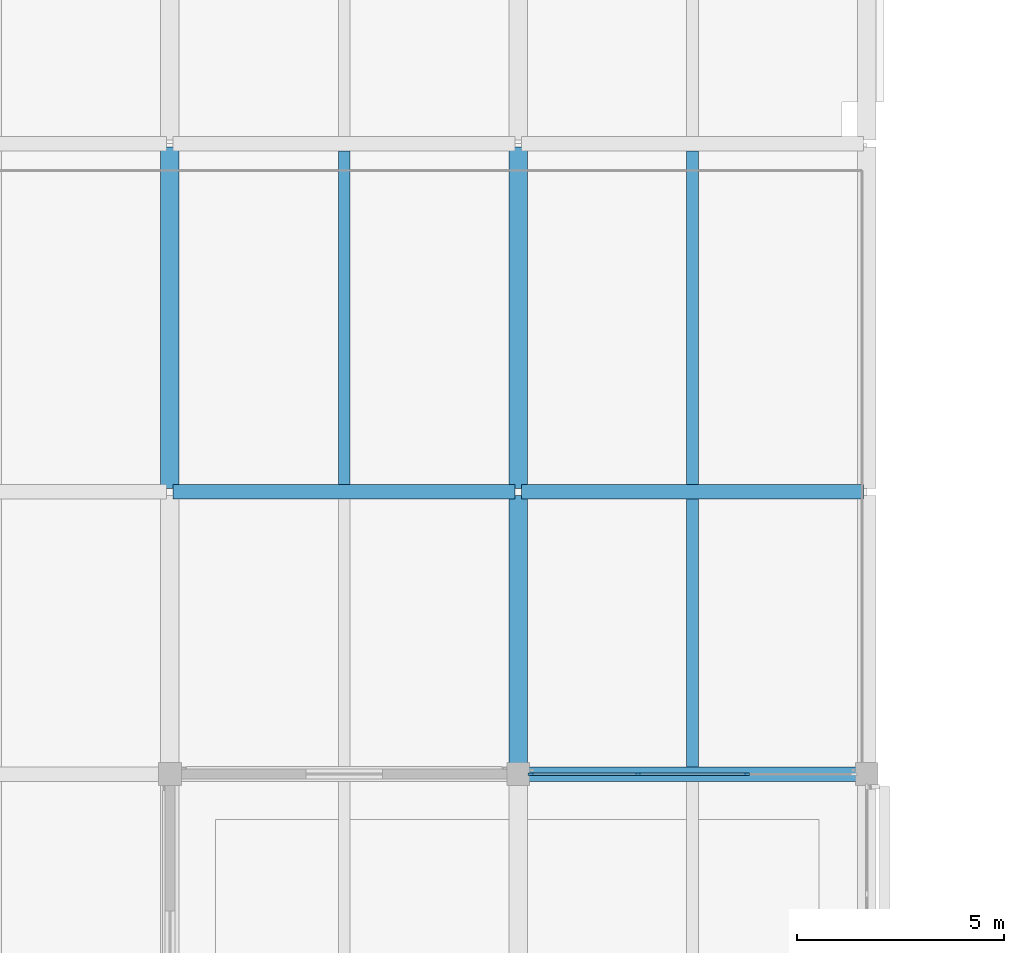
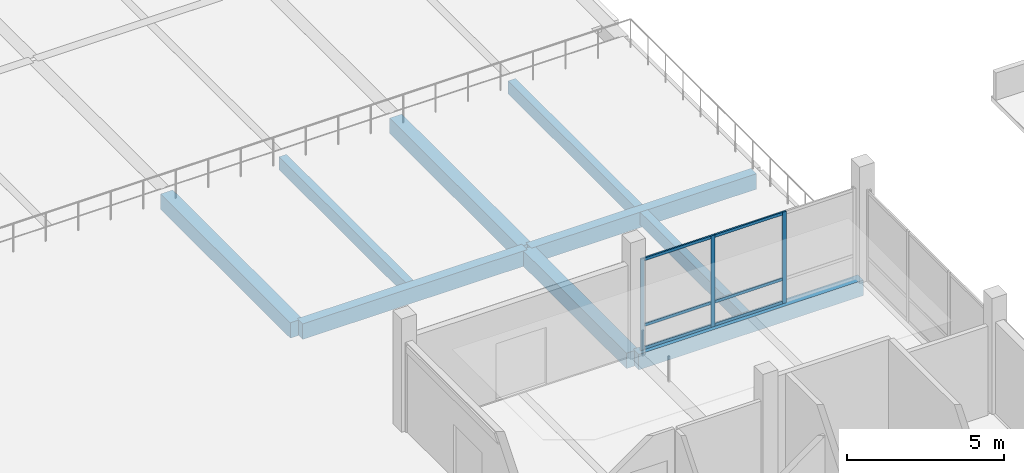
# One storey, part 9 of 59: 9 beams, 9 members, 1 element without a shape of its own.
"""IFC4 building model written with IfcOpenShell, lengths in metres."""

from ifc_helpers import new_model, si_unit, direction, frame, origin, origin_2d, place, context, subcontext, project, spatial, rectangle, extrude, material, layer, layer_set, material_profile, profile_set, type_object, element, aggregate, save


model = new_model("IFC4")

# Units and contexts
model_context = context("Model", 3, precision=1e-05, world=origin(), true_north=direction((0.0, 1.0)))
body_context = subcontext(model_context, "Body", "Model", "MODEL_VIEW")
ifc_project = project(units=[si_unit("LENGTHUNIT", "METRE"), si_unit("AREAUNIT", "SQUARE_METRE"), si_unit("VOLUMEUNIT", "CUBIC_METRE"), si_unit("PLANEANGLEUNIT", "RADIAN"), si_unit("MASSUNIT", "GRAM", prefix="KILO")], contexts=[model_context])

# Site, building, storey
site_placement = place(None, origin())
site = spatial("IfcSite", under=ifc_project, at=site_placement, CompositionType="ELEMENT")
building_placement = place(site_placement, origin())
building = spatial("IfcBuilding", under=site, at=building_placement, Name="Telukmera Botanical Conservatory", CompositionType="ELEMENT")
storey_placement = place(building_placement, frame((0.0, 0.0, 15.0)))
storey = spatial("IfcBuildingStorey", under=building, at=storey_placement, Name="L03", CompositionType="ELEMENT", Elevation=15.0)

# Beams
ifc_material_1 = material(Name="Concrete C40/50", Category="concrete")
ifc_material_profile_1 = material_profile(ifc_material_1, rectangle(XDim=0.449951171875, YDim=0.60009765625, at=origin_2d()), Name="RC 450x600")
ifc_profile_set_1 = profile_set([ifc_material_profile_1], Name="Concrete C40/50")
beam_type_1 = type_object("IfcBeamType", Name="Beam_B17", PredefinedType="BEAM", material=ifc_profile_set_1)
beam_1_placement = place(storey_placement, frame((25.199951171875, 49.679931640625, -0.300048828125), z_axis=(0.0, 1.0, 0.0), x_axis=(-1.0, 0.0, 0.0)))
element("IfcBeam", 1, at=beam_1_placement, inside=storey, type_object=beam_type_1, Name="Visitor Wing Transverse Beam L03", PredefinedType="BEAM", context=body_context, shape_type="SweptSolid", body=[
    extrude(rectangle(XDim=0.449951171875, YDim=0.60009765625, at=origin_2d()), origin(), (0.0, 0.0, 1.0), 8.239990234375),
])
beam_2_placement = place(storey_placement, frame((33.60009765625, 42.8798828125, -0.300048828125), z_axis=(0.0, 1.0, 0.0), x_axis=(-1.0, 0.0, 0.0)))
element("IfcBeam", 2, at=beam_2_placement, inside=storey, type_object=beam_type_1, Name="Visitor Wing Transverse Beam L03", PredefinedType="BEAM", context=body_context, shape_type="SweptSolid", body=[
    extrude(rectangle(XDim=0.449951171875, YDim=0.60009765625, at=origin_2d()), origin(), (0.0, 0.0, 1.0), 6.64013671875),
])
beam_3_placement = place(storey_placement, frame((33.60009765625, 49.679931640625, -0.300048828125), z_axis=(0.0, 1.0, 0.0), x_axis=(-1.0, 0.0, 0.0)))
element("IfcBeam", 3, at=beam_3_placement, inside=storey, type_object=beam_type_1, Name="Visitor Wing Transverse Beam L03", PredefinedType="BEAM", context=body_context, shape_type="SweptSolid", body=[
    extrude(rectangle(XDim=0.449951171875, YDim=0.60009765625, at=origin_2d()), origin(), (0.0, 0.0, 1.0), 8.239990234375),
])
ifc_material_profile_2 = material_profile(ifc_material_1, rectangle(XDim=0.280029296875, YDim=0.5, at=origin_2d()), Name="RC 280x500")
ifc_profile_set_2 = profile_set([ifc_material_profile_2], Name="Concrete C40/50")
beam_type_2 = type_object("IfcBeamType", Name="Beam_B26", PredefinedType="JOIST", material=ifc_profile_set_2)
beam_4_placement = place(storey_placement, frame((29.39990234375, 49.77490234375, -0.25), z_axis=(0.0, 1.0, 0.0), x_axis=(-1.0, 0.0, 0.0)))
element("IfcBeam", 4, at=beam_4_placement, inside=storey, type_object=beam_type_2, Name="Visitor Wing Floor Joist L03", PredefinedType="JOIST", context=body_context, shape_type="SweptSolid", body=[
    extrude(rectangle(XDim=0.280029296875, YDim=0.5, at=origin_2d()), origin(), (0.0, 0.0, 1.0), 8.050048828125),
])
beam_5_placement = place(storey_placement, frame((37.800048828125, 42.97509765625, -0.25), z_axis=(0.0, 1.0, 0.0), x_axis=(-1.0, 0.0, 0.0)))
element("IfcBeam", 5, at=beam_5_placement, inside=storey, type_object=beam_type_2, Name="Visitor Wing Floor Joist L03", PredefinedType="JOIST", context=body_context, shape_type="SweptSolid", body=[
    extrude(rectangle(XDim=0.280029296875, YDim=0.5, at=origin_2d()), origin(), (0.0, 0.0, 1.0), 6.449951171875),
])
beam_6_placement = place(storey_placement, frame((37.800048828125, 49.77490234375, -0.25), z_axis=(0.0, 1.0, 0.0), x_axis=(-1.0, 0.0, 0.0)))
element("IfcBeam", 6, at=beam_6_placement, inside=storey, type_object=beam_type_2, Name="Visitor Wing Floor Joist L03", PredefinedType="JOIST", context=body_context, shape_type="SweptSolid", body=[
    extrude(rectangle(XDim=0.280029296875, YDim=0.5, at=origin_2d()), origin(), (0.0, 0.0, 1.0), 8.050048828125),
])
ifc_material_profile_3 = material_profile(ifc_material_1, rectangle(XDim=0.35009765625, YDim=0.60009765625, at=origin_2d()), Name="RC 350x600")
ifc_profile_set_3 = profile_set([ifc_material_profile_3], Name="Concrete C40/50")
beam_type_3 = type_object("IfcBeamType", Name="Beam_B9", PredefinedType="BEAM", material=ifc_profile_set_3)
for number, where, z_axis, x_axis, name in (
    (7, (33.679931640625, 42.800048828125, -0.300048828125), (1.0, 0.0, 0.0), (0.0, 1.0, 0.0), "Visitor Wing Grid Beam L03"),
    (8, (25.280029296875, 49.60009765625, -0.300048828125), (1.0, 0.0, 0.0), (0.0, 1.0, 0.0), "Visitor Wing Grid Beam L03"),
    (9, (33.679931640625, 49.60009765625, -0.300048828125), (1.0, 0.0, 0.0), (0.0, 1.0, 0.0), "Visitor Wing Grid Beam L03"),
):
    element("IfcBeam", number, at=place(storey_placement, frame(where, z_axis=z_axis, x_axis=x_axis)), inside=storey, type_object=beam_type_3, Name=name, PredefinedType="BEAM", context=body_context, shape_type="SweptSolid", body=[
        extrude(rectangle(XDim=0.35009765625, YDim=0.60009765625, at=origin_2d()), origin(), (0.0, 0.0, 1.0), 8.239990234375),
    ])

# Curtain wall, members
ifc_material_2 = material(Name="Anodised aluminium 6063-T6", Category="aluminium")
ifc_layer = layer(ifc_material_2, 0.179931640625)
ifc_layer_set = layer_set([ifc_layer], Name="Anodised aluminium 6063-T6")
curtain_wall_type = type_object("IfcCurtainWallType", Name="Visitor Rooftop Lounge Terrace Curtain Wall", PredefinedType="USERDEFINED", material=ifc_layer_set)
curtain_wall_placement = place(storey_placement, origin())
curtain_wall = element("IfcCurtainWall", 10, at=curtain_wall_placement, inside=storey, type_object=curtain_wall_type, Name="Unitised Curtain Wall CW11 V3:L03:N2", ObjectType="UNITISED CURTAIN WALL", PredefinedType="USERDEFINED")
ifc_material_profile_4 = material_profile(ifc_material_2, rectangle(XDim=0.06005859375, YDim=0.139892578125, at=origin_2d()), Name="ALU MULL 60x140")
ifc_profile_set_4 = profile_set([ifc_material_profile_4], Name="Anodised aluminium 6063-T6")
member_type_1 = type_object("IfcMemberType", Name="Curtain Wall Extruded Mullion 60x140", PredefinedType="MULLION", material=ifc_profile_set_4)
member_1_placement = place(storey_placement, frame((33.906982421875, 42.800048828125, 0.0), z_axis=(0.0, 0.0, 1.0), x_axis=(0.0, 1.0, 0.0)))
member_1 = element("IfcMember", 11, at=member_1_placement, type_object=member_type_1, Name="CW11 mullion 1", PredefinedType="MULLION", context=body_context, shape_type="SweptSolid", body=[
    extrude(rectangle(XDim=0.06005859375, YDim=0.139892578125, at=origin_2d()), origin(), (0.0, 0.0, 1.0), 3.550048828125),
])
member_2_placement = place(storey_placement, frame((36.492431640625, 42.800048828125, 0.0), z_axis=(0.0, 0.0, 1.0), x_axis=(0.0, 1.0, 0.0)))
member_2 = element("IfcMember", 12, at=member_2_placement, type_object=member_type_1, Name="CW11 mullion 2", PredefinedType="MULLION", context=body_context, shape_type="SweptSolid", body=[
    extrude(rectangle(XDim=0.06005859375, YDim=0.139892578125, at=origin_2d()), origin(), (0.0, 0.0, 1.0), 3.550048828125),
])
member_3_placement = place(storey_placement, frame((39.107666015625, 42.800048828125, 0.0), z_axis=(0.0, 0.0, 1.0), x_axis=(0.0, 1.0, 0.0)))
member_3 = element("IfcMember", 13, at=member_3_placement, type_object=member_type_1, Name="CW11 mullion 3", PredefinedType="MULLION", context=body_context, shape_type="SweptSolid", body=[
    extrude(rectangle(XDim=0.06005859375, YDim=0.139892578125, at=origin_2d()), origin(), (0.0, 0.0, 1.0), 3.550048828125),
])
ifc_material_profile_5 = material_profile(ifc_material_2, rectangle(XDim=0.06005859375, YDim=0.110107421875, at=origin_2d()), Name="ALU TRAN 60x110")
ifc_profile_set_5 = profile_set([ifc_material_profile_5], Name="Anodised aluminium 6063-T6")
member_type_2 = type_object("IfcMemberType", Name="Curtain Wall Extruded Transom 60x110", PredefinedType="USERDEFINED", material=ifc_profile_set_5)
member_4_placement = place(storey_placement, frame((33.93701171875, 42.800048828125, 0.054931640625), z_axis=(1.0, 0.0, 0.0), x_axis=(0.0, 1.0, 0.0)))
member_4 = element("IfcMember", 14, at=member_4_placement, type_object=member_type_2, Name="CW11 transom 1.1", ObjectType="TRANSOM", PredefinedType="USERDEFINED", context=body_context, shape_type="SweptSolid", body=[
    extrude(rectangle(XDim=0.06005859375, YDim=0.110107421875, at=origin_2d()), origin(), (0.0, 0.0, 1.0), 2.525390625),
])
member_5_placement = place(storey_placement, frame((33.93701171875, 42.800048828125, 0.949951171875), z_axis=(1.0, 0.0, 0.0), x_axis=(0.0, 1.0, 0.0)))
member_5 = element("IfcMember", 15, at=member_5_placement, type_object=member_type_2, Name="CW11 transom 1.2", ObjectType="TRANSOM", PredefinedType="USERDEFINED", context=body_context, shape_type="SweptSolid", body=[
    extrude(rectangle(XDim=0.06005859375, YDim=0.110107421875, at=origin_2d()), origin(), (0.0, 0.0, 1.0), 2.525390625),
])
member_6_placement = place(storey_placement, frame((33.93701171875, 42.800048828125, 3.4951171875), z_axis=(1.0, 0.0, 0.0), x_axis=(0.0, 1.0, 0.0)))
member_6 = element("IfcMember", 16, at=member_6_placement, type_object=member_type_2, Name="CW11 transom 1.3", ObjectType="TRANSOM", PredefinedType="USERDEFINED", context=body_context, shape_type="SweptSolid", body=[
    extrude(rectangle(XDim=0.06005859375, YDim=0.110107421875, at=origin_2d()), origin(), (0.0, 0.0, 1.0), 2.525390625),
])
member_7_placement = place(storey_placement, frame((36.522216796875, 42.800048828125, 0.054931640625), z_axis=(1.0, 0.0, 0.0), x_axis=(0.0, 1.0, 0.0)))
member_7 = element("IfcMember", 17, at=member_7_placement, type_object=member_type_2, Name="CW11 transom 2.1", ObjectType="TRANSOM", PredefinedType="USERDEFINED", context=body_context, shape_type="SweptSolid", body=[
    extrude(rectangle(XDim=0.06005859375, YDim=0.110107421875, at=origin_2d()), origin(), (0.0, 0.0, 1.0), 2.555419921875),
])
member_8_placement = place(storey_placement, frame((36.522216796875, 42.800048828125, 0.949951171875), z_axis=(1.0, 0.0, 0.0), x_axis=(0.0, 1.0, 0.0)))
member_8 = element("IfcMember", 18, at=member_8_placement, type_object=member_type_2, Name="CW11 transom 2.2", ObjectType="TRANSOM", PredefinedType="USERDEFINED", context=body_context, shape_type="SweptSolid", body=[
    extrude(rectangle(XDim=0.06005859375, YDim=0.110107421875, at=origin_2d()), origin(), (0.0, 0.0, 1.0), 2.555419921875),
])
member_9_placement = place(storey_placement, frame((36.522216796875, 42.800048828125, 3.4951171875), z_axis=(1.0, 0.0, 0.0), x_axis=(0.0, 1.0, 0.0)))
member_9 = element("IfcMember", 19, at=member_9_placement, type_object=member_type_2, Name="CW11 transom 2.3", ObjectType="TRANSOM", PredefinedType="USERDEFINED", context=body_context, shape_type="SweptSolid", body=[
    extrude(rectangle(XDim=0.06005859375, YDim=0.110107421875, at=origin_2d()), origin(), (0.0, 0.0, 1.0), 2.555419921875),
])
aggregate(curtain_wall, [member_1, member_2, member_3, member_4, member_5, member_6, member_7, member_8, member_9])

save(model, "model.ifc")
